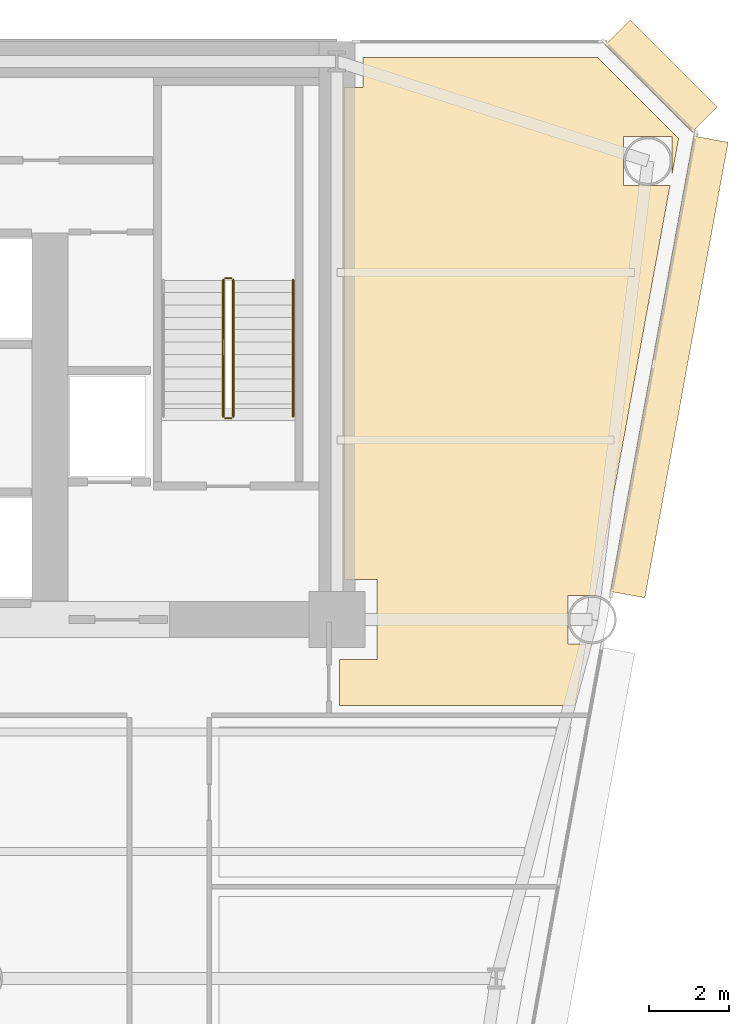
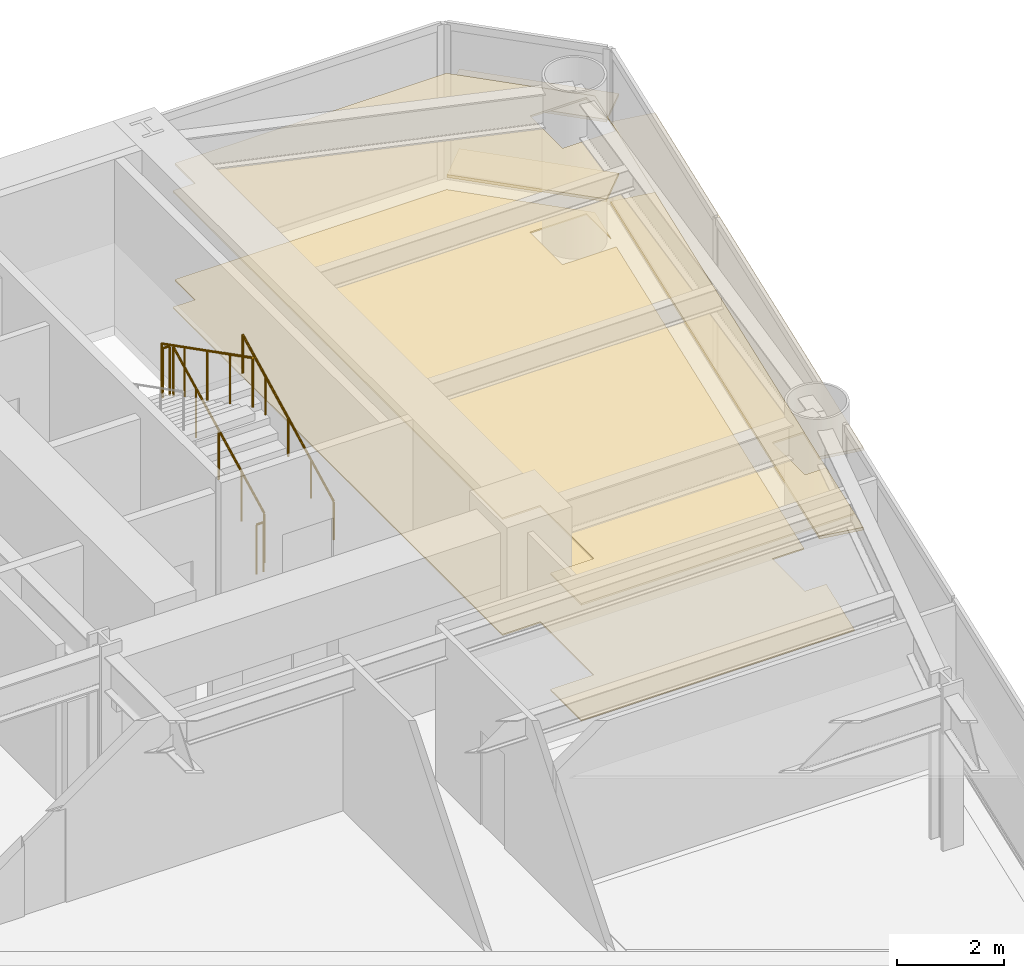
# One storey, part 14 of 14: 6 coverings, 5 railings.
"""IFC4 building model written with IfcOpenShell, lengths in metres."""

from ifc_helpers import new_model, si_unit, direction, frame, origin, origin_2d, place, context, subcontext, project, spatial, polyline, rectangle, circle, outline, extrude, source, transform, mapped, material, layer, layer_set, type_object, element, save


model = new_model("IFC4")

# Units and contexts
model_context = context("Model", 3, precision=1e-05, world=origin(), true_north=direction((0.0, 1.0)))
body_context = subcontext(model_context, "Body", "Model", "MODEL_VIEW")
ifc_project = project(units=[si_unit("LENGTHUNIT", "METRE"), si_unit("AREAUNIT", "SQUARE_METRE"), si_unit("VOLUMEUNIT", "CUBIC_METRE"), si_unit("PLANEANGLEUNIT", "RADIAN"), si_unit("MASSUNIT", "GRAM", prefix="KILO")], contexts=[model_context])

# Site, building, storey
site_placement = place(None, origin())
site = spatial("IfcSite", under=ifc_project, at=site_placement, CompositionType="ELEMENT")
building_placement = place(site_placement, origin())
building = spatial("IfcBuilding", under=site, at=building_placement, Name="Vaeldorn Concourse Tower", CompositionType="ELEMENT")
storey_placement = place(building_placement, frame((0.0, 0.0, 79.60009765625)))
storey = spatial("IfcBuildingStorey", under=building, at=storey_placement, Name="L20", CompositionType="ELEMENT", Elevation=79.60009765625)

# Coverings
ifc_material_1 = material(Name="Acoustic Mineral Fibre Board", Category="gypsum")
ifc_layer_1 = layer(ifc_material_1, 0.0400390625)
ifc_layer_set_1 = layer_set([ifc_layer_1], Name="Acoustic Mineral Fibre Board")
covering_type_1 = type_object("IfcCoveringType", Name="COV-CEIL-ACOUSTIC", PredefinedType="CEILING", material=ifc_layer_set_1)
covering_1_placement = place(storey_placement, frame((0.0, 0.0, 2.64990234375)))
element("IfcCovering", 1, at=covering_1_placement, inside=storey, type_object=covering_type_1, Name="Suspended Acoustic Ceiling L20-5", PredefinedType="CEILING", context=body_context, shape_type="SweptSolid", body=[
    extrude(outline(polyline([(54.179931640625, 49.840087890625), (54.659912109375, 49.840087890625), (54.659912109375, 50.60009765625), (60.5341796875, 50.60009765625), (62.56884765625, 48.5654296875), (62.409423828125, 47.6943359375), (62.409423828125, 48.609619140625), (61.1904296875, 48.609619140625), (61.1904296875, 47.390380859375), (62.35400390625, 47.390380859375), (60.474365234375, 37.109619140625), (59.79052734375, 37.109619140625), (59.79052734375, 35.890380859375), (60.25146484375, 35.890380859375), (59.968017578125, 34.340087890625), (54.06005859375, 34.340087890625), (54.06005859375, 35.5), (55.0, 35.5), (55.0, 37.5), (54.179931640625, 37.5), (54.179931640625, 49.840087890625)])), origin(), (0.0, 0.0, 1.0), 0.0400390625),
])
ifc_material_2 = material(Name="Honed Limestone Terrazzo Flooring", Category="masonry")
ifc_layer_2 = layer(ifc_material_2, 0.0400390625)
ifc_layer_set_2 = layer_set([ifc_layer_2], Name="Honed Limestone Terrazzo Flooring")
covering_type_2 = type_object("IfcCoveringType", Name="COV-FLOOR-STONE", PredefinedType="FLOORING", material=ifc_layer_set_2)
covering_2_placement = place(storey_placement, origin())
element("IfcCovering", 2, at=covering_2_placement, inside=storey, type_object=covering_type_2, Name="Floor Finish Covering L20-5", PredefinedType="FLOORING", context=body_context, shape_type="SweptSolid", body=[
    extrude(outline(polyline([(54.179931640625, 49.840087890625), (54.659912109375, 49.840087890625), (54.659912109375, 50.60009765625), (60.5341796875, 50.60009765625), (62.56884765625, 48.5654296875), (62.409423828125, 47.6943359375), (62.409423828125, 48.609619140625), (61.1904296875, 48.609619140625), (61.1904296875, 47.390380859375), (62.35400390625, 47.390380859375), (60.474365234375, 37.109619140625), (59.79052734375, 37.109619140625), (59.79052734375, 35.890380859375), (60.25146484375, 35.890380859375), (59.968017578125, 34.340087890625), (54.06005859375, 34.340087890625), (54.06005859375, 35.5), (55.0, 35.5), (55.0, 37.5), (54.179931640625, 37.5), (54.179931640625, 49.840087890625)])), origin(), (0.0, 0.0, 1.0), 0.02978515625),
])

# Railings
ifc_material_3 = material(Name="Anodised Bronze Aluminium", Category="aluminium")
railing_type_1 = type_object("IfcRailingType", Name="RL-STAIR-GUARD", PredefinedType="GUARDRAIL", material=ifc_material_3)
railing_1_placement = place(storey_placement, frame((51.39990234375, 41.60009765625, 0.158203125)))
element("IfcRailing", 3, at=railing_1_placement, inside=storey, type_object=railing_type_1, Name="L20 ST-2 stair guard 1", PredefinedType="GUARDRAIL", context=body_context, shape_type="SweptSolid", body=[
    extrude(circle(Radius=0.02392578125, at=origin_2d()), frame((0.0, 0.0, 1.1259765625), z_axis=(0.0, 0.890555807335, 0.454873997962), x_axis=(-1.0, 0.0, 0.0)), (0.0, 0.0, 1.0), 3.828857421875),
    extrude(circle(Radius=0.02099609375, at=origin_2d()), origin(), (0.0, 0.0, 1.0), 1.101806640625),
    extrude(circle(Radius=0.02099609375, at=origin_2d()), frame((0.0, 0.8525390625, 0.435546875)), (0.0, 0.0, 1.0), 1.101806640625),
    extrude(circle(Radius=0.02099609375, at=origin_2d()), frame((0.0, 1.705078125, 0.870849609375)), (0.0, 0.0, 1.0), 1.101806640625),
    extrude(circle(Radius=0.02099609375, at=origin_2d()), frame((0.0, 2.557373046875, 1.30615234375)), (0.0, 0.0, 1.0), 1.101806640625),
    extrude(circle(Radius=0.02099609375, at=origin_2d()), frame((0.0, 3.409912109375, 1.74169921875)), (0.0, 0.0, 1.0), 1.101806640625),
])
railing_2_placement = place(storey_placement, frame((51.35009765625, 45.06005859375, 1.89990234375)))
element("IfcRailing", 4, at=railing_2_placement, inside=storey, type_object=railing_type_1, Name="L20 ST-2 stair guard 2", PredefinedType="GUARDRAIL", context=body_context, shape_type="SweptSolid", body=[
    extrude(circle(Radius=0.02392578125, at=origin_2d()), frame((0.0, 0.0, 1.1259765625), z_axis=(-1.0, 0.0, 0.0), x_axis=(0.0, -1.0, 0.0)), (0.0, 0.0, 1.0), 0.150146484375),
    extrude(circle(Radius=0.02099609375, at=origin_2d()), origin(), (0.0, 0.0, 1.0), 1.101806640625),
    extrude(circle(Radius=0.02099609375, at=origin_2d()), frame((-0.150146484375, 0.0, 0.0)), (0.0, 0.0, 1.0), 1.101806640625),
])
railing_3_placement = place(storey_placement, frame((51.14990234375, 45.010009765625, 2.058349609375)))
element("IfcRailing", 5, at=railing_3_placement, inside=storey, type_object=railing_type_1, Name="L20 ST-2 stair guard 3", PredefinedType="GUARDRAIL", context=body_context, shape_type="SweptSolid", body=[
    extrude(circle(Radius=0.02392578125, at=origin_2d()), frame((0.0, 0.0, 1.1259765625), z_axis=(0.0, -0.890581635807, 0.454823427236), x_axis=(1.0, 0.0, 0.0)), (0.0, 0.0, 1.0), 3.828857421875),
    extrude(circle(Radius=0.02099609375, at=origin_2d()), origin(), (0.0, 0.0, 1.0), 1.101806640625),
    extrude(circle(Radius=0.02099609375, at=origin_2d()), frame((0.0, -0.8525390625, 0.435302734375)), (0.0, 0.0, 1.0), 1.101806640625),
    extrude(circle(Radius=0.02099609375, at=origin_2d()), frame((0.0, -1.705078125, 0.87060546875)), (0.0, 0.0, 1.0), 1.101806640625),
    extrude(circle(Radius=0.02099609375, at=origin_2d()), frame((0.0, -2.557373046875, 1.30615234375)), (0.0, 0.0, 1.0), 1.101806640625),
    extrude(circle(Radius=0.02099609375, at=origin_2d()), frame((0.0, -3.409912109375, 1.741455078125)), (0.0, 0.0, 1.0), 1.101806640625),
])
railing_4_placement = place(storey_placement, frame((51.35009765625, 41.550048828125, 0.0)))
element("IfcRailing", 6, at=railing_4_placement, inside=storey, type_object=railing_type_1, Name="L20 ST-2 stair guard 4", PredefinedType="GUARDRAIL", context=body_context, shape_type="SweptSolid", body=[
    extrude(circle(Radius=0.02392578125, at=origin_2d()), frame((0.0, 0.0, 1.1259765625), z_axis=(-1.0, 0.0, 0.0), x_axis=(0.0, -1.0, 0.0)), (0.0, 0.0, 1.0), 0.150146484375),
    extrude(circle(Radius=0.02099609375, at=origin_2d()), origin(), (0.0, 0.0, 1.0), 1.101806640625),
    extrude(circle(Radius=0.02099609375, at=origin_2d()), frame((-0.150146484375, 0.0, 0.0)), (0.0, 0.0, 1.0), 1.101806640625),
])
railing_type_2 = type_object("IfcRailingType", Name="RL-STAIR-HANDRAIL", PredefinedType="HANDRAIL", material=ifc_material_3)
railing_5_placement = place(storey_placement, frame((52.89990234375, 41.60009765625, 0.158203125)))
element("IfcRailing", 7, at=railing_5_placement, inside=storey, type_object=railing_type_2, Name="L20 ST-2 stair handrail 1", PredefinedType="HANDRAIL", context=body_context, shape_type="SweptSolid", body=[
    extrude(circle(Radius=0.02392578125, at=origin_2d()), frame((0.0, 0.0, 0.8759765625), z_axis=(0.0, 0.890555807335, 0.454873997962), x_axis=(-1.0, 0.0, 0.0)), (0.0, 0.0, 1.0), 3.828857421875),
    extrude(circle(Radius=0.02099609375, at=origin_2d()), origin(), (0.0, 0.0, 1.0), 0.851806640625),
    extrude(circle(Radius=0.02099609375, at=origin_2d()), frame((0.0, 0.8525390625, 0.435546875)), (0.0, 0.0, 1.0), 0.851806640625),
    extrude(circle(Radius=0.02099609375, at=origin_2d()), frame((0.0, 1.705078125, 0.870849609375)), (0.0, 0.0, 1.0), 0.851806640625),
    extrude(circle(Radius=0.02099609375, at=origin_2d()), frame((0.0, 2.557373046875, 1.30615234375)), (0.0, 0.0, 1.0), 0.851806640625),
    extrude(circle(Radius=0.02099609375, at=origin_2d()), frame((0.0, 3.409912109375, 1.74169921875)), (0.0, 0.0, 1.0), 0.851806640625),
])

# Coverings
ifc_layer_3 = layer(ifc_material_3, 0.06494140625)
ifc_layer_set_3 = layer_set([ifc_layer_3], Name="Anodised Bronze Aluminium")
covering_type_3 = type_object("IfcCoveringType", Name="SD-BRONZE-SUNSHADE", PredefinedType="USERDEFINED", material=ifc_layer_set_3)
shared_shape_1 = source(origin(), body_context, "Body", "SweptSolid", [
    extrude(rectangle(XDim=3.0927734375, YDim=0.8798828125, at=origin_2d()), origin(), (0.0, 0.0, 1.0), 0.06494140625),
])
for number, where, z_axis, x_axis, name in (
    (8, (62.1328125, 50.1328125, 0.04736328125), (0.0, 0.0, 1.0), (-0.707106781187, 0.707106781187, 0.0), "Horizontal Bronze Sunshade L20-E08.1.1"),
    (9, (62.1328125, 50.1328125, 1.867431640625), (0.0, 0.0, 1.0), (-0.707106781187, 0.707106781187, 0.0), "Horizontal Bronze Sunshade L20-E08.1.2"),
):
    element("IfcCovering", number, at=place(storey_placement, frame(where, z_axis=z_axis, x_axis=x_axis)), inside=storey, type_object=covering_type_3, Name=name, ObjectType="SUNSHADE", PredefinedType="USERDEFINED", context=body_context, shape_type="MappedRepresentation", body=[
        mapped(shared_shape_1, transform((0.0, 0.0, 0.0), scale=1.0)),
    ])
shared_shape_2 = source(origin(), body_context, "Body", "SweptSolid", [
    extrude(rectangle(XDim=11.6123046875, YDim=0.8798828125, at=origin_2d()), origin(), (0.0, 0.0, 1.0), 0.06494140625),
])
for number, where, z_axis, x_axis, name in (
    (10, (62.3349609375, 42.837890625, 0.04736328125), (0.0, 0.0, 1.0), (0.17984960762, 0.983694118433, 0.0), "Horizontal Bronze Sunshade L20-E07.2.1"),
    (11, (62.3349609375, 42.837890625, 1.867431640625), (0.0, 0.0, 1.0), (0.17984960762, 0.983694118433, 0.0), "Horizontal Bronze Sunshade L20-E07.2.2"),
):
    element("IfcCovering", number, at=place(storey_placement, frame(where, z_axis=z_axis, x_axis=x_axis)), inside=storey, type_object=covering_type_3, Name=name, ObjectType="SUNSHADE", PredefinedType="USERDEFINED", context=body_context, shape_type="MappedRepresentation", body=[
        mapped(shared_shape_2, transform((0.0, 0.0, 0.0), scale=1.0)),
    ])

save(model, "model.ifc")
